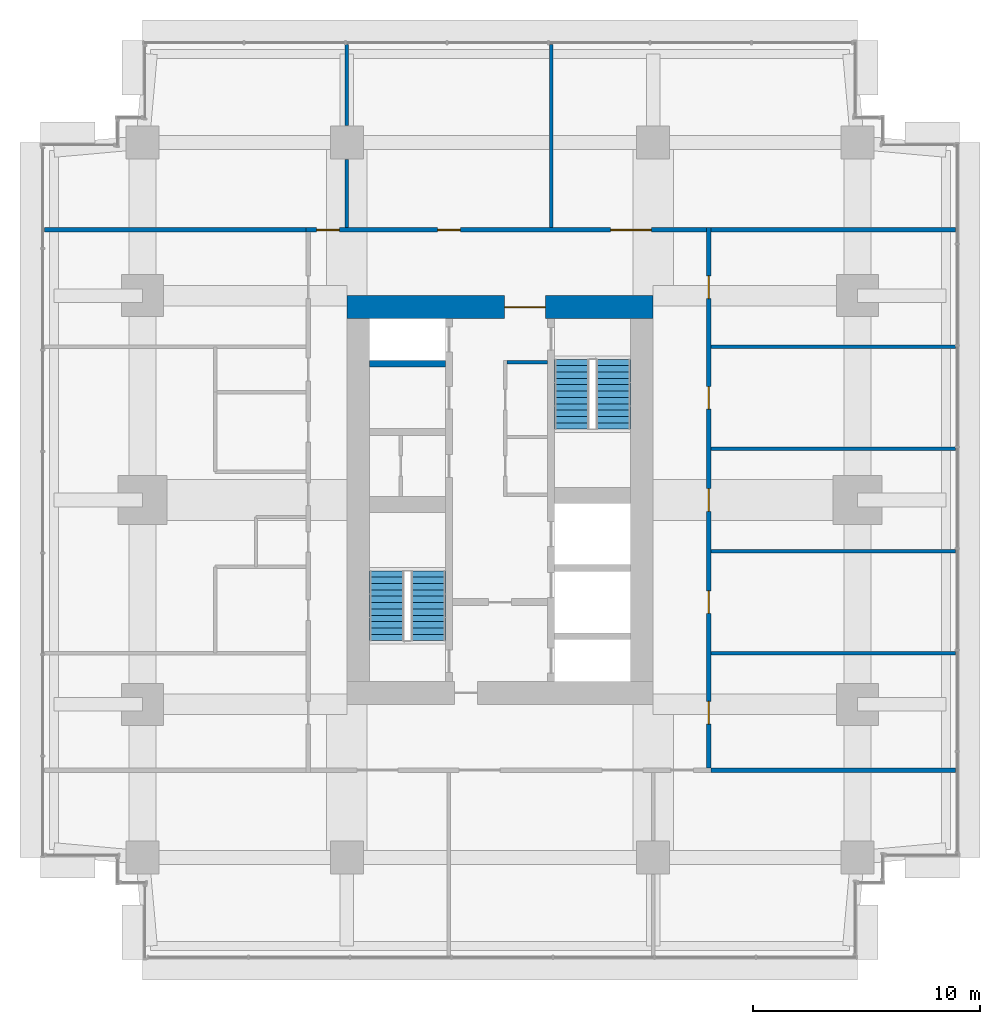
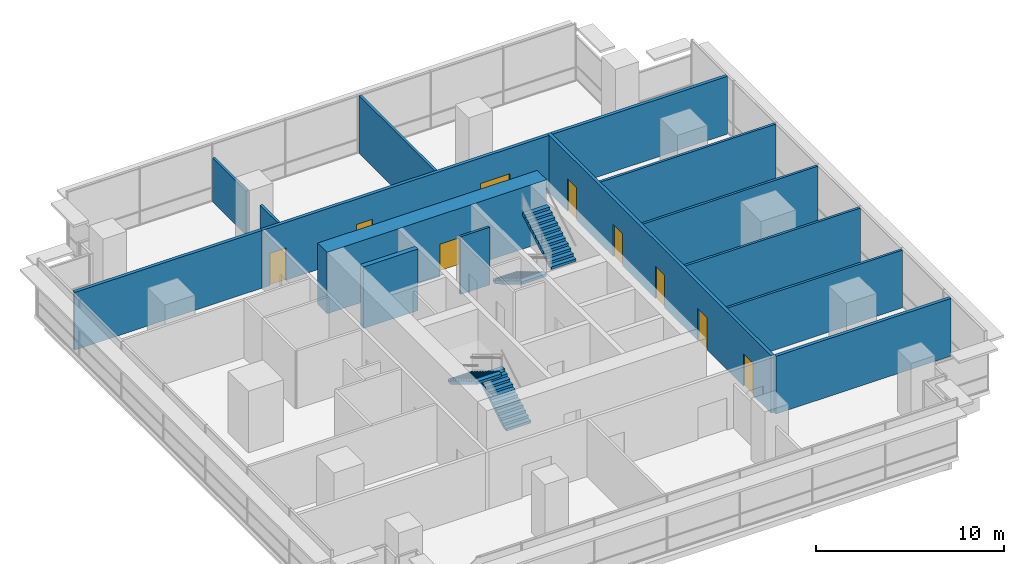
# One storey, part 13 of 14: 15 walls, 9 doors, 4 stair flights, 9 openings, 2 elements without a shape of their own.
"""IFC4 building model written with IfcOpenShell, lengths in metres."""

from ifc_helpers import new_model, si_unit, direction, frame, frame_2d, origin, place, context, subcontext, project, spatial, polyline, rectangle, outline, extrude, material, layer, layer_set, type_object, element, fill, aggregate, save


model = new_model("IFC4")

# Units and contexts
model_context = context("Model", 3, precision=1e-05, world=origin(), true_north=direction((0.0, 1.0)))
body_context = subcontext(model_context, "Body", "Model", "MODEL_VIEW")
ifc_project = project(units=[si_unit("LENGTHUNIT", "METRE"), si_unit("AREAUNIT", "SQUARE_METRE"), si_unit("VOLUMEUNIT", "CUBIC_METRE"), si_unit("PLANEANGLEUNIT", "RADIAN"), si_unit("MASSUNIT", "GRAM", prefix="KILO")], contexts=[model_context])

# Site, building, storey
site_placement = place(None, origin())
site = spatial("IfcSite", under=ifc_project, at=site_placement, CompositionType="ELEMENT")
building_placement = place(site_placement, origin())
building = spatial("IfcBuilding", under=site, at=building_placement, Name="Namib Vertical Campus", CompositionType="ELEMENT")
storey_placement = place(building_placement, frame((0.0, 0.0, 269.0)))
storey = spatial("IfcBuildingStorey", under=building, at=storey_placement, Name="L63", CompositionType="ELEMENT", Elevation=269.0)

# Wall
ifc_material_1 = material(Name="Concrete C60/75", Category="concrete")
ifc_layer_1 = layer(ifc_material_1, 0.300048828125)
ifc_layer_set_1 = layer_set([ifc_layer_1], Name="Concrete C60/75")
wall_type_1 = type_object("IfcWallType", Name="Core inner wall 300", PredefinedType="SHEAR", material=ifc_layer_set_1)
wall_1_placement = place(storey_placement, frame((14.5, 26.25, 0.0), z_axis=(0.0, 0.0, 1.0), x_axis=(1.0, 0.0, 0.0)))
element("IfcWall", 1, at=wall_1_placement, inside=storey, type_object=wall_type_1, Name="Core inner wall A L63 W9", PredefinedType="SHEAR", context=body_context, shape_type="SweptSolid", body=[
    extrude(rectangle(XDim=3.35009765625, YDim=0.300048828125, at=frame_2d((1.675048828125, 0.0))), origin(), (0.0, 0.0, 1.0), 4.0),
])

# Wall, opening, door
ifc_material_2 = material(Name="Concrete C60/75", Category="concrete")
ifc_layer_2 = layer(ifc_material_2, 1.0)
ifc_layer_set_2 = layer_set([ifc_layer_2], Name="Concrete C60/75")
wall_type_2 = type_object("IfcWallType", Name="Core wall 1000", PredefinedType="SHEAR", material=ifc_layer_set_2)
wall_2_placement = place(storey_placement, frame((27.0, 28.75, 0.0), z_axis=(0.0, 0.0, 1.0), x_axis=(-1.0, 0.0, 0.0)))
wall_2 = element("IfcWall", 2, at=wall_2_placement, inside=storey, type_object=wall_type_2, Name="Core wall A L63 3", PredefinedType="SHEAR", context=body_context, shape_type="SweptSolid", body=[
    extrude(rectangle(XDim=13.5, YDim=1.0, at=frame_2d((6.75, 0.0))), origin(), (0.0, 0.0, 1.0), 4.0),
])
opening_1_placement = place(wall_2_placement, frame((4.75, 0.0, 0.0)))
opening_1 = element("IfcOpeningElement", 3, at=opening_1_placement, cuts=wall_2, Name="Opening FD2", PredefinedType="OPENING", context=body_context, shape_type="SweptSolid", body=[
    extrude(rectangle(XDim=1.800048828125, YDim=2.10009765625, at=frame_2d((0.89990234375, 1.050048828125))), frame((0.0, 0.510009765625, 0.0), z_axis=(0.0, -1.0, 0.0), x_axis=(1.0, 0.0, 0.0)), (0.0, 0.0, 1.0), 1.02001953125),
])
ifc_material_3 = material(Name="Steel fire door", Category="steel")
door_type_1 = type_object("IfcDoorType", Name="Fire door double 1800x2100", OperationType="DOUBLE_DOOR_SINGLE_SWING", PredefinedType="DOOR", material=ifc_material_3)
door_1_placement = place(opening_1_placement, origin())
door_1 = element("IfcDoor", 4, at=door_1_placement, inside=storey, type_object=door_type_1, Name="Lift lobby door FD2 A L63", OperationType="DOUBLE_DOOR_SINGLE_SWING", OverallHeight=2.10009765625, OverallWidth=1.800048828125, PredefinedType="DOOR", context=body_context, shape_type="SweptSolid", body=[
    extrude(rectangle(XDim=1.800048828125, YDim=2.10009765625, at=frame_2d((0.89990234375, 1.050048828125))), frame((0.0, 0.02490234375, 0.0), z_axis=(0.0, -1.0, 0.0), x_axis=(1.0, 0.0, 0.0)), (0.0, 0.0, 1.0), 0.050048828125),
])
fill(opening_1, door_1)

# Wall, openings, doors
ifc_material_4 = material(Name="Concrete masonry", Category="masonry")
ifc_layer_3 = layer(ifc_material_4, 0.199951171875)
ifc_layer_set_3 = layer_set([ifc_layer_3], Name="Corridor wall 200")
wall_type_3 = type_object("IfcWallType", Name="Corridor wall 200", PredefinedType="SOLIDWALL", material=ifc_layer_set_3)
wall_3_placement = place(storey_placement, frame((29.449951171875, 8.449951171875, 0.0), z_axis=(0.0, 0.0, 1.0), x_axis=(0.0, 1.0, 0.0)))
wall_3 = element("IfcWall", 5, at=wall_3_placement, inside=storey, type_object=wall_type_3, Name="Corridor wall A L63 CE", PredefinedType="SOLIDWALL", context=body_context, shape_type="SweptSolid", body=[
    extrude(rectangle(XDim=23.800048828125, YDim=0.199951171875, at=frame_2d((11.89990234375, 0.0))), origin(), (0.0, 0.0, 1.0), 3.75),
])
opening_2_placement = place(wall_3_placement, frame((1.925048828125, 0.0, 0.0)))
opening_2 = element("IfcOpeningElement", 6, at=opening_2_placement, cuts=wall_3, Name="Opening CD1", PredefinedType="OPENING", context=body_context, shape_type="SweptSolid", body=[
    extrude(rectangle(XDim=1.0, YDim=2.10009765625, at=frame_2d((0.5, 1.050048828125))), frame((0.0, 0.10986328125, 0.0), z_axis=(0.0, -1.0, 0.0), x_axis=(1.0, 0.0, 0.0)), (0.0, 0.0, 1.0), 0.219970703125),
])
opening_3_placement = place(wall_3_placement, frame((6.800048828125, 0.0, 0.0)))
opening_3 = element("IfcOpeningElement", 7, at=opening_3_placement, cuts=wall_3, Name="Opening CD1", PredefinedType="OPENING", context=body_context, shape_type="SweptSolid", body=[
    extrude(rectangle(XDim=1.0, YDim=2.10009765625, at=frame_2d((0.5, 1.050048828125))), frame((0.0, 0.10986328125, 0.0), z_axis=(0.0, -1.0, 0.0), x_axis=(1.0, 0.0, 0.0)), (0.0, 0.0, 1.0), 0.219970703125),
])
opening_4_placement = place(wall_3_placement, frame((11.300048828125, 0.0, 0.0)))
opening_4 = element("IfcOpeningElement", 8, at=opening_4_placement, cuts=wall_3, Name="Opening CD1", PredefinedType="OPENING", context=body_context, shape_type="SweptSolid", body=[
    extrude(rectangle(XDim=1.0, YDim=2.10009765625, at=frame_2d((0.5, 1.050048828125))), frame((0.0, 0.10986328125, 0.0), z_axis=(0.0, -1.0, 0.0), x_axis=(1.0, 0.0, 0.0)), (0.0, 0.0, 1.0), 0.219970703125),
])
opening_5_placement = place(wall_3_placement, frame((15.800048828125, 0.0, 0.0)))
opening_5 = element("IfcOpeningElement", 9, at=opening_5_placement, cuts=wall_3, Name="Opening CD1", PredefinedType="OPENING", context=body_context, shape_type="SweptSolid", body=[
    extrude(rectangle(XDim=1.0, YDim=2.10009765625, at=frame_2d((0.5, 1.050048828125))), frame((0.0, 0.10986328125, 0.0), z_axis=(0.0, -1.0, 0.0), x_axis=(1.0, 0.0, 0.0)), (0.0, 0.0, 1.0), 0.219970703125),
])
opening_6_placement = place(wall_3_placement, frame((20.675048828125, 0.0, 0.0)))
opening_6 = element("IfcOpeningElement", 10, at=opening_6_placement, cuts=wall_3, Name="Opening CD1", PredefinedType="OPENING", context=body_context, shape_type="SweptSolid", body=[
    extrude(rectangle(XDim=1.0, YDim=2.10009765625, at=frame_2d((0.5, 1.050048828125))), frame((0.0, 0.10986328125, 0.0), z_axis=(0.0, -1.0, 0.0), x_axis=(1.0, 0.0, 0.0)), (0.0, 0.0, 1.0), 0.219970703125),
])
ifc_material_5 = material(Name="Timber fire door leaf", Category="wood")
door_type_2 = type_object("IfcDoorType", Name="Corridor door 1000x2100 20 min", OperationType="SINGLE_SWING_LEFT", PredefinedType="DOOR", material=ifc_material_5)
door_2_placement = place(opening_2_placement, frame((1.0, 0.0, 0.0), z_axis=(0.0, 0.0, 1.0), x_axis=(-1.0, 0.0, 0.0)))
door_2 = element("IfcDoor", 11, at=door_2_placement, inside=storey, type_object=door_type_2, Name="Door CD1 A63-04", OperationType="SINGLE_SWING_RIGHT", OverallHeight=2.10009765625, OverallWidth=1.0, PredefinedType="DOOR", context=body_context, shape_type="SweptSolid", body=[
    extrude(rectangle(XDim=1.0, YDim=2.10009765625, at=frame_2d((0.5, 1.050048828125))), frame((0.0, 0.02490234375, 0.0), z_axis=(0.0, -1.0, 0.0), x_axis=(1.0, 0.0, 0.0)), (0.0, 0.0, 1.0), 0.050048828125),
])
fill(opening_2, door_2)
door_3_placement = place(opening_3_placement, frame((1.0, 0.0, 0.0), z_axis=(0.0, 0.0, 1.0), x_axis=(-1.0, 0.0, 0.0)))
door_3 = element("IfcDoor", 12, at=door_3_placement, inside=storey, type_object=door_type_2, Name="Door CD1 A63-05", OperationType="SINGLE_SWING_RIGHT", OverallHeight=2.10009765625, OverallWidth=1.0, PredefinedType="DOOR", context=body_context, shape_type="SweptSolid", body=[
    extrude(rectangle(XDim=1.0, YDim=2.10009765625, at=frame_2d((0.5, 1.050048828125))), frame((0.0, 0.02490234375, 0.0), z_axis=(0.0, -1.0, 0.0), x_axis=(1.0, 0.0, 0.0)), (0.0, 0.0, 1.0), 0.050048828125),
])
fill(opening_3, door_3)
door_4_placement = place(opening_4_placement, frame((1.0, 0.0, 0.0), z_axis=(0.0, 0.0, 1.0), x_axis=(-1.0, 0.0, 0.0)))
door_4 = element("IfcDoor", 13, at=door_4_placement, inside=storey, type_object=door_type_2, Name="Door CD1 A63-06", OperationType="SINGLE_SWING_RIGHT", OverallHeight=2.10009765625, OverallWidth=1.0, PredefinedType="DOOR", context=body_context, shape_type="SweptSolid", body=[
    extrude(rectangle(XDim=1.0, YDim=2.10009765625, at=frame_2d((0.5, 1.050048828125))), frame((0.0, 0.02490234375, 0.0), z_axis=(0.0, -1.0, 0.0), x_axis=(1.0, 0.0, 0.0)), (0.0, 0.0, 1.0), 0.050048828125),
])
fill(opening_4, door_4)
door_5_placement = place(opening_5_placement, frame((1.0, 0.0, 0.0), z_axis=(0.0, 0.0, 1.0), x_axis=(-1.0, 0.0, 0.0)))
door_5 = element("IfcDoor", 14, at=door_5_placement, inside=storey, type_object=door_type_2, Name="Door CD1 A63-07", OperationType="SINGLE_SWING_RIGHT", OverallHeight=2.10009765625, OverallWidth=1.0, PredefinedType="DOOR", context=body_context, shape_type="SweptSolid", body=[
    extrude(rectangle(XDim=1.0, YDim=2.10009765625, at=frame_2d((0.5, 1.050048828125))), frame((0.0, 0.02490234375, 0.0), z_axis=(0.0, -1.0, 0.0), x_axis=(1.0, 0.0, 0.0)), (0.0, 0.0, 1.0), 0.050048828125),
])
fill(opening_5, door_5)
door_6_placement = place(opening_6_placement, frame((1.0, 0.0, 0.0), z_axis=(0.0, 0.0, 1.0), x_axis=(-1.0, 0.0, 0.0)))
door_6 = element("IfcDoor", 15, at=door_6_placement, inside=storey, type_object=door_type_2, Name="Door CD1 A63-08", OperationType="SINGLE_SWING_RIGHT", OverallHeight=2.10009765625, OverallWidth=1.0, PredefinedType="DOOR", context=body_context, shape_type="SweptSolid", body=[
    extrude(rectangle(XDim=1.0, YDim=2.10009765625, at=frame_2d((0.5, 1.050048828125))), frame((0.0, 0.02490234375, 0.0), z_axis=(0.0, -1.0, 0.0), x_axis=(1.0, 0.0, 0.0)), (0.0, 0.0, 1.0), 0.050048828125),
])
fill(opening_6, door_6)

wall_4_placement = place(storey_placement, frame((29.35009765625, 32.14990234375, 0.0), z_axis=(0.0, 0.0, 1.0), x_axis=(-1.0, 0.0, 0.0)))
wall_4 = element("IfcWall", 16, at=wall_4_placement, inside=storey, type_object=wall_type_3, Name="Corridor wall A L63 CN", PredefinedType="SOLIDWALL", context=body_context, shape_type="SweptSolid", body=[
    extrude(rectangle(XDim=17.650146484375, YDim=0.199951171875, at=frame_2d((8.8251953125, 0.0))), origin(), (0.0, 0.0, 1.0), 3.75),
])
opening_7_placement = place(wall_4_placement, frame((16.175048828125, 0.0, 0.0)))
opening_7 = element("IfcOpeningElement", 17, at=opening_7_placement, cuts=wall_4, Name="Opening CD1", PredefinedType="OPENING", context=body_context, shape_type="SweptSolid", body=[
    extrude(rectangle(XDim=1.0, YDim=2.10009765625, at=frame_2d((0.5, 1.050048828125))), frame((0.0, 0.10986328125, 0.0), z_axis=(0.0, -1.0, 0.0), x_axis=(1.0, 0.0, 0.0)), (0.0, 0.0, 1.0), 0.219970703125),
])
opening_8_placement = place(wall_4_placement, frame((10.85009765625, 0.0, 0.0)))
opening_8 = element("IfcOpeningElement", 18, at=opening_8_placement, cuts=wall_4, Name="Opening CD1", PredefinedType="OPENING", context=body_context, shape_type="SweptSolid", body=[
    extrude(rectangle(XDim=1.0, YDim=2.10009765625, at=frame_2d((0.5, 1.050048828125))), frame((0.0, 0.10986328125, 0.0), z_axis=(0.0, -1.0, 0.0), x_axis=(1.0, 0.0, 0.0)), (0.0, 0.0, 1.0), 0.219970703125),
])
opening_9_placement = place(wall_4_placement, frame((2.425048828125, 0.0, 0.0)))
opening_9 = element("IfcOpeningElement", 19, at=opening_9_placement, cuts=wall_4, Name="Opening CD2", PredefinedType="OPENING", context=body_context, shape_type="SweptSolid", body=[
    extrude(rectangle(XDim=1.800048828125, YDim=2.10009765625, at=frame_2d((0.89990234375, 1.050048828125))), frame((0.0, 0.10986328125, 0.0), z_axis=(0.0, -1.0, 0.0), x_axis=(1.0, 0.0, 0.0)), (0.0, 0.0, 1.0), 0.219970703125),
])
door_7_placement = place(opening_7_placement, frame((1.0, 0.0, 0.0), z_axis=(0.0, 0.0, 1.0), x_axis=(-1.0, 0.0, 0.0)))
door_7 = element("IfcDoor", 20, at=door_7_placement, inside=storey, type_object=door_type_2, Name="Door CD1 A63-09", OperationType="SINGLE_SWING_RIGHT", OverallHeight=2.10009765625, OverallWidth=1.0, PredefinedType="DOOR", context=body_context, shape_type="SweptSolid", body=[
    extrude(rectangle(XDim=1.0, YDim=2.10009765625, at=frame_2d((0.5, 1.050048828125))), frame((0.0, 0.02490234375, 0.0), z_axis=(0.0, -1.0, 0.0), x_axis=(1.0, 0.0, 0.0)), (0.0, 0.0, 1.0), 0.050048828125),
])
fill(opening_7, door_7)
door_8_placement = place(opening_8_placement, frame((1.0, 0.0, 0.0), z_axis=(0.0, 0.0, 1.0), x_axis=(-1.0, 0.0, 0.0)))
door_8 = element("IfcDoor", 21, at=door_8_placement, inside=storey, type_object=door_type_2, Name="Door CD1 A63-10", OperationType="SINGLE_SWING_RIGHT", OverallHeight=2.10009765625, OverallWidth=1.0, PredefinedType="DOOR", context=body_context, shape_type="SweptSolid", body=[
    extrude(rectangle(XDim=1.0, YDim=2.10009765625, at=frame_2d((0.5, 1.050048828125))), frame((0.0, 0.02490234375, 0.0), z_axis=(0.0, -1.0, 0.0), x_axis=(1.0, 0.0, 0.0)), (0.0, 0.0, 1.0), 0.050048828125),
])
fill(opening_8, door_8)
ifc_material_6 = material(Name="Timber fire door leaf", Category="wood")
door_type_3 = type_object("IfcDoorType", Name="Corridor door double 1800x2100 20 min", OperationType="DOUBLE_DOOR_SINGLE_SWING", PredefinedType="DOOR", material=ifc_material_6)
door_9_placement = place(opening_9_placement, frame((1.800048828125, 0.0, 0.0), z_axis=(0.0, 0.0, 1.0), x_axis=(-1.0, 0.0, 0.0)))
door_9 = element("IfcDoor", 22, at=door_9_placement, inside=storey, type_object=door_type_3, Name="Door CD2 A63-11", OperationType="DOUBLE_DOOR_SINGLE_SWING", OverallHeight=2.10009765625, OverallWidth=1.800048828125, PredefinedType="DOOR", context=body_context, shape_type="SweptSolid", body=[
    extrude(rectangle(XDim=1.800048828125, YDim=2.10009765625, at=frame_2d((0.89990234375, 1.050048828125))), frame((0.0, 0.02490234375, 0.0), z_axis=(0.0, -1.0, 0.0), x_axis=(1.0, 0.0, 0.0)), (0.0, 0.0, 1.0), 0.050048828125),
])
fill(opening_9, door_9)

# Walls
wall_5_placement = place(storey_placement, frame((29.550048828125, 8.35009765625, 0.0), z_axis=(0.0, 0.0, 1.0), x_axis=(1.0, 0.0, 0.0)))
element("IfcWall", 23, at=wall_5_placement, inside=storey, type_object=wall_type_3, Name="Partition A L63 BSE", PredefinedType="SOLIDWALL", context=body_context, shape_type="SweptSolid", body=[
    extrude(rectangle(XDim=10.77001953125, YDim=0.199951171875, at=frame_2d((5.385009765625, 0.0))), origin(), (0.0, 0.0, 1.0), 3.75),
])
wall_6_placement = place(storey_placement, frame((0.179931640625, 32.14990234375, 0.0), z_axis=(0.0, 0.0, 1.0), x_axis=(1.0, 0.0, 0.0)))
element("IfcWall", 24, at=wall_6_placement, inside=storey, type_object=wall_type_3, Name="Partition A L63 BNW", PredefinedType="SOLIDWALL", context=body_context, shape_type="SweptSolid", body=[
    extrude(rectangle(XDim=11.52001953125, YDim=0.199951171875, at=frame_2d((5.760009765625, 0.0))), origin(), (0.0, 0.0, 1.0), 3.75),
])
wall_7_placement = place(storey_placement, frame((29.550048828125, 32.14990234375, 0.0), z_axis=(0.0, 0.0, 1.0), x_axis=(1.0, 0.0, 0.0)))
element("IfcWall", 25, at=wall_7_placement, inside=storey, type_object=wall_type_3, Name="Partition A L63 BNE", PredefinedType="SOLIDWALL", context=body_context, shape_type="SweptSolid", body=[
    extrude(rectangle(XDim=10.77001953125, YDim=0.199951171875, at=frame_2d((5.385009765625, 0.0))), origin(), (0.0, 0.0, 1.0), 3.75),
])
ifc_material_7 = material(Name="Gypsum board on steel studs", Category="steel")
ifc_layer_4 = layer(ifc_material_7, 0.14990234375)
ifc_layer_set_4 = layer_set([ifc_layer_4], Name="Gypsum board on steel studs")
wall_type_4 = type_object("IfcWallType", Name="Partition 150", PredefinedType="PARTITIONING", material=ifc_layer_set_4)
wall_8_placement = place(storey_placement, frame((20.550048828125, 26.324951171875, 0.0), z_axis=(0.0, 0.0, 1.0), x_axis=(1.0, 0.0, 0.0)))
element("IfcWall", 26, at=wall_8_placement, inside=storey, type_object=wall_type_4, Name="Partition A L63 Comms room and Store end 3", PredefinedType="PARTITIONING", context=body_context, shape_type="SweptSolid", body=[
    extrude(rectangle(XDim=1.800048828125, YDim=0.14990234375, at=frame_2d((0.89990234375, 0.0))), origin(), (0.0, 0.0, 1.0), 3.75),
])
wall_9_placement = place(storey_placement, frame((13.5, 32.25, 0.0), z_axis=(0.0, 0.0, 1.0), x_axis=(0.0, 1.0, 0.0)))
element("IfcWall", 27, at=wall_9_placement, inside=storey, type_object=wall_type_4, Name="Partition A L63 PN1", PredefinedType="PARTITIONING", context=body_context, shape_type="SweptSolid", body=[
    extrude(rectangle(XDim=3.0048828125, YDim=0.14990234375, at=frame_2d((1.50244140625, 0.0))), origin(), (0.0, 0.0, 1.0), 2.85009765625),
])
wall_10_placement = place(storey_placement, frame((13.5, 36.7451171875, 0.0), z_axis=(0.0, 0.0, 1.0), x_axis=(0.0, 1.0, 0.0)))
element("IfcWall", 28, at=wall_10_placement, inside=storey, type_object=wall_type_4, Name="Partition A L63 PN1", PredefinedType="PARTITIONING", context=body_context, shape_type="SweptSolid", body=[
    extrude(rectangle(XDim=3.574951171875, YDim=0.14990234375, at=frame_2d((1.78759765625, 0.0))), origin(), (0.0, 0.0, 1.0), 2.85009765625),
])
wall_11_placement = place(storey_placement, frame((22.5, 32.25, 0.0), z_axis=(0.0, 0.0, 1.0), x_axis=(0.0, 1.0, 0.0)))
element("IfcWall", 29, at=wall_11_placement, inside=storey, type_object=wall_type_4, Name="Partition A L63 PN2", PredefinedType="PARTITIONING", context=body_context, shape_type="SweptSolid", body=[
    extrude(rectangle(XDim=8.070068359375, YDim=0.14990234375, at=frame_2d((4.03515625, 0.0))), origin(), (0.0, 0.0, 1.0), 3.75),
])
for number, where, z_axis, x_axis, name in (
    (30, (29.550048828125, 13.5, 0.0), (0.0, 0.0, 1.0), (1.0, 0.0, 0.0), "Partition A L63 PE1"),
    (31, (29.550048828125, 18.0, 0.0), (0.0, 0.0, 1.0), (1.0, 0.0, 0.0), "Partition A L63 PE2"),
    (32, (29.550048828125, 22.5, 0.0), (0.0, 0.0, 1.0), (1.0, 0.0, 0.0), "Partition A L63 PE3"),
    (33, (29.550048828125, 27.0, 0.0), (0.0, 0.0, 1.0), (1.0, 0.0, 0.0), "Partition A L63 PE4"),
):
    element("IfcWall", number, at=place(storey_placement, frame(where, z_axis=z_axis, x_axis=x_axis)), inside=storey, type_object=wall_type_4, Name=name, PredefinedType="PARTITIONING", context=body_context, shape_type="SweptSolid", body=[
        extrude(rectangle(XDim=10.77001953125, YDim=0.14990234375, at=frame_2d((5.385009765625, 0.0))), origin(), (0.0, 0.0, 1.0), 3.75),
    ])

# Stair, stair flights
ifc_material_8 = material(Name="Concrete C40/50 precast", Category="concrete")
stair_type = type_object("IfcStairType", Name="Exit stair 4000 rise 24 risers 3350 wide", PredefinedType="HALF_TURN_STAIR", material=ifc_material_8)
stair_1_placement = place(storey_placement, origin())
stair_1 = element("IfcStair", 34, at=stair_1_placement, inside=storey, type_object=stair_type, Name="Exit stair A-S1 L63", PredefinedType="HALF_TURN_STAIR")
ifc_material_9 = material(Name="Concrete C40/50 precast", Category="concrete")
stair_flight_type = type_object("IfcStairFlightType", Name="Stair flight 12 risers 167 1525 wide", PredefinedType="STRAIGHT", material=ifc_material_9)
stair_flight_1_placement = place(storey_placement, frame((17.08740234375, 14.050048828125, 0.0), z_axis=(0.0, 0.0, 1.0), x_axis=(0.0, 1.0, 0.0)))
stair_flight_1 = element("IfcStairFlight", 35, at=stair_flight_1_placement, type_object=stair_flight_type, Name="A-S1 flight 1", NumberOfRisers=12, NumberOfTreads=11, PredefinedType="STRAIGHT", RiserHeight=0.166666667, TreadLength=0.28, context=body_context, shape_type="SweptSolid", body=[
    extrude(outline(polyline([(0.0, 0.0), (0.0, 0.166748046875), (0.280029296875, 0.166748046875), (0.280029296875, 0.333251953125), (0.56005859375, 0.333251953125), (0.56005859375, 0.5), (0.840087890625, 0.5), (0.840087890625, 0.666748046875), (1.1201171875, 0.666748046875), (1.1201171875, 0.833251953125), (1.39990234375, 0.833251953125), (1.39990234375, 1.0), (1.679931640625, 1.0), (1.679931640625, 1.166748046875), (1.9599609375, 1.166748046875), (1.9599609375, 1.333251953125), (2.239990234375, 1.333251953125), (2.239990234375, 1.5), (2.52001953125, 1.5), (2.52001953125, 1.666748046875), (2.800048828125, 1.666748046875), (2.800048828125, 1.833251953125), (3.080078125, 1.833251953125), (3.080078125, 2.0), (3.080078125, 1.658935546875), (0.29296875, 0.0), (0.0, 0.0)])), frame((0.0, 0.762451171875, 0.0), z_axis=(0.0, -1.0, 0.0), x_axis=(1.0, 0.0, 0.0)), (0.0, 0.0, 1.0), 1.52490234375),
])
stair_flight_2_placement = place(storey_placement, frame((15.262451171875, 17.1298828125, 2.0), z_axis=(0.0, 0.0, 1.0), x_axis=(0.0, -1.0, 0.0)))
stair_flight_2 = element("IfcStairFlight", 36, at=stair_flight_2_placement, type_object=stair_flight_type, Name="A-S1 flight 2", NumberOfRisers=12, NumberOfTreads=11, PredefinedType="STRAIGHT", RiserHeight=0.166666667, TreadLength=0.28, context=body_context, shape_type="SweptSolid", body=[
    extrude(outline(polyline([(0.0, 0.0), (0.0, 0.166748046875), (0.280029296875, 0.166748046875), (0.280029296875, 0.333251953125), (0.56005859375, 0.333251953125), (0.56005859375, 0.5), (0.840087890625, 0.5), (0.840087890625, 0.666748046875), (1.1201171875, 0.666748046875), (1.1201171875, 0.833251953125), (1.39990234375, 0.833251953125), (1.39990234375, 1.0), (1.679931640625, 1.0), (1.679931640625, 1.166748046875), (1.9599609375, 1.166748046875), (1.9599609375, 1.333251953125), (2.239990234375, 1.333251953125), (2.239990234375, 1.5), (2.52001953125, 1.5), (2.52001953125, 1.666748046875), (2.800048828125, 1.666748046875), (2.800048828125, 1.833251953125), (3.080078125, 1.833251953125), (3.080078125, 2.0), (3.080078125, 1.658935546875), (0.29296875, 0.0), (0.0, 0.0)])), frame((0.0, 0.762451171875, 0.0), z_axis=(0.0, -1.0, 0.0), x_axis=(1.0, 0.0, 0.0)), (0.0, 0.0, 1.0), 1.52490234375),
])
aggregate(stair_1, [stair_flight_1, stair_flight_2])

stair_2_placement = place(storey_placement, origin())
stair_2 = element("IfcStair", 37, at=stair_2_placement, inside=storey, type_object=stair_type, Name="Exit stair A-S2 L63", PredefinedType="HALF_TURN_STAIR")
stair_flight_3_placement = place(storey_placement, frame((23.41259765625, 26.449951171875, 0.0), z_axis=(0.0, 0.0, 1.0), x_axis=(0.0, -1.0, 0.0)))
stair_flight_3 = element("IfcStairFlight", 38, at=stair_flight_3_placement, type_object=stair_flight_type, Name="A-S2 flight 1", NumberOfRisers=12, NumberOfTreads=11, PredefinedType="STRAIGHT", RiserHeight=0.166666667, TreadLength=0.28, context=body_context, shape_type="SweptSolid", body=[
    extrude(outline(polyline([(0.0, 0.0), (0.0, 0.166748046875), (0.280029296875, 0.166748046875), (0.280029296875, 0.333251953125), (0.56005859375, 0.333251953125), (0.56005859375, 0.5), (0.840087890625, 0.5), (0.840087890625, 0.666748046875), (1.1201171875, 0.666748046875), (1.1201171875, 0.833251953125), (1.39990234375, 0.833251953125), (1.39990234375, 1.0), (1.679931640625, 1.0), (1.679931640625, 1.166748046875), (1.9599609375, 1.166748046875), (1.9599609375, 1.333251953125), (2.239990234375, 1.333251953125), (2.239990234375, 1.5), (2.52001953125, 1.5), (2.52001953125, 1.666748046875), (2.800048828125, 1.666748046875), (2.800048828125, 1.833251953125), (3.080078125, 1.833251953125), (3.080078125, 2.0), (3.080078125, 1.658935546875), (0.29296875, 0.0), (0.0, 0.0)])), frame((0.0, 0.762451171875, 0.0), z_axis=(0.0, -1.0, 0.0), x_axis=(1.0, 0.0, 0.0)), (0.0, 0.0, 1.0), 1.52490234375),
])
stair_flight_4_placement = place(storey_placement, frame((25.237548828125, 23.3701171875, 2.0), z_axis=(0.0, 0.0, 1.0), x_axis=(0.0, 1.0, 0.0)))
stair_flight_4 = element("IfcStairFlight", 39, at=stair_flight_4_placement, type_object=stair_flight_type, Name="A-S2 flight 2", NumberOfRisers=12, NumberOfTreads=11, PredefinedType="STRAIGHT", RiserHeight=0.166666667, TreadLength=0.28, context=body_context, shape_type="SweptSolid", body=[
    extrude(outline(polyline([(0.0, 0.0), (0.0, 0.166748046875), (0.280029296875, 0.166748046875), (0.280029296875, 0.333251953125), (0.56005859375, 0.333251953125), (0.56005859375, 0.5), (0.840087890625, 0.5), (0.840087890625, 0.666748046875), (1.1201171875, 0.666748046875), (1.1201171875, 0.833251953125), (1.39990234375, 0.833251953125), (1.39990234375, 1.0), (1.679931640625, 1.0), (1.679931640625, 1.166748046875), (1.9599609375, 1.166748046875), (1.9599609375, 1.333251953125), (2.239990234375, 1.333251953125), (2.239990234375, 1.5), (2.52001953125, 1.5), (2.52001953125, 1.666748046875), (2.800048828125, 1.666748046875), (2.800048828125, 1.833251953125), (3.080078125, 1.833251953125), (3.080078125, 2.0), (3.080078125, 1.658935546875), (0.29296875, 0.0), (0.0, 0.0)])), frame((0.0, 0.762451171875, 0.0), z_axis=(0.0, -1.0, 0.0), x_axis=(1.0, 0.0, 0.0)), (0.0, 0.0, 1.0), 1.52490234375),
])
aggregate(stair_2, [stair_flight_3, stair_flight_4])

save(model, "model.ifc")
